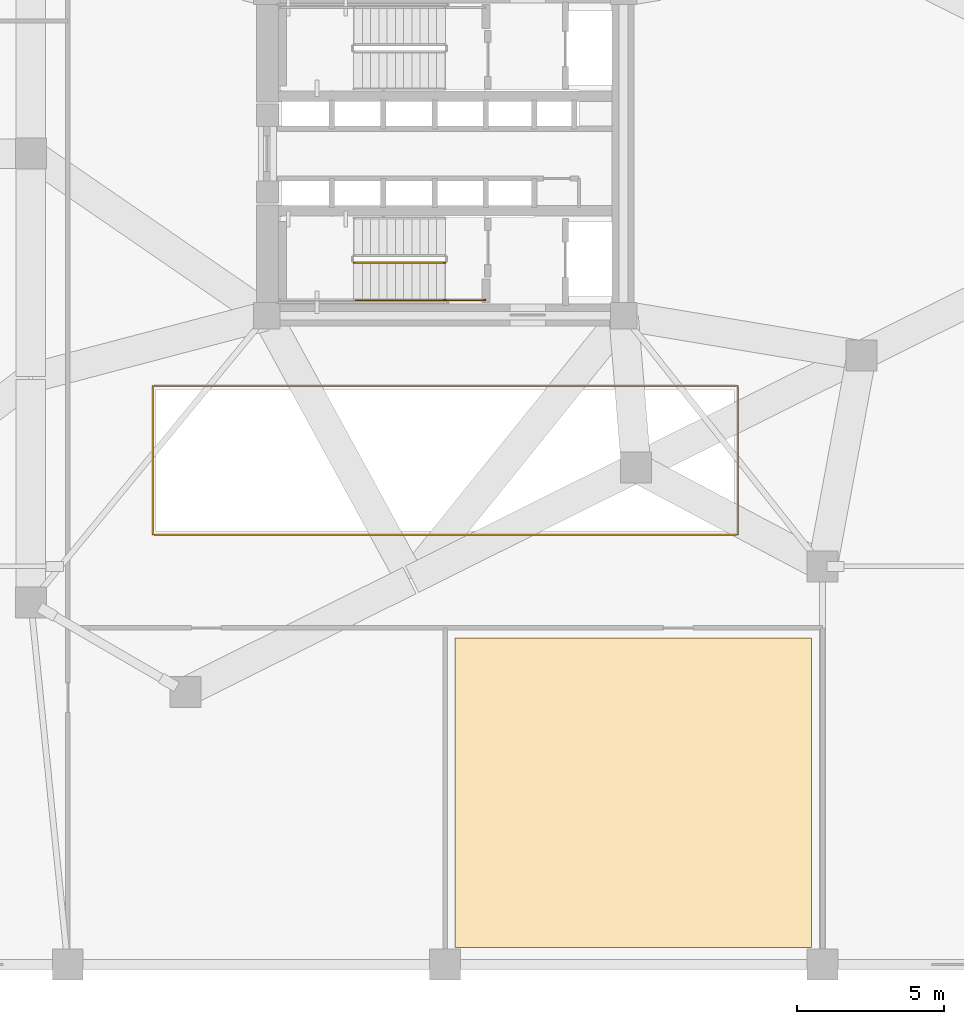
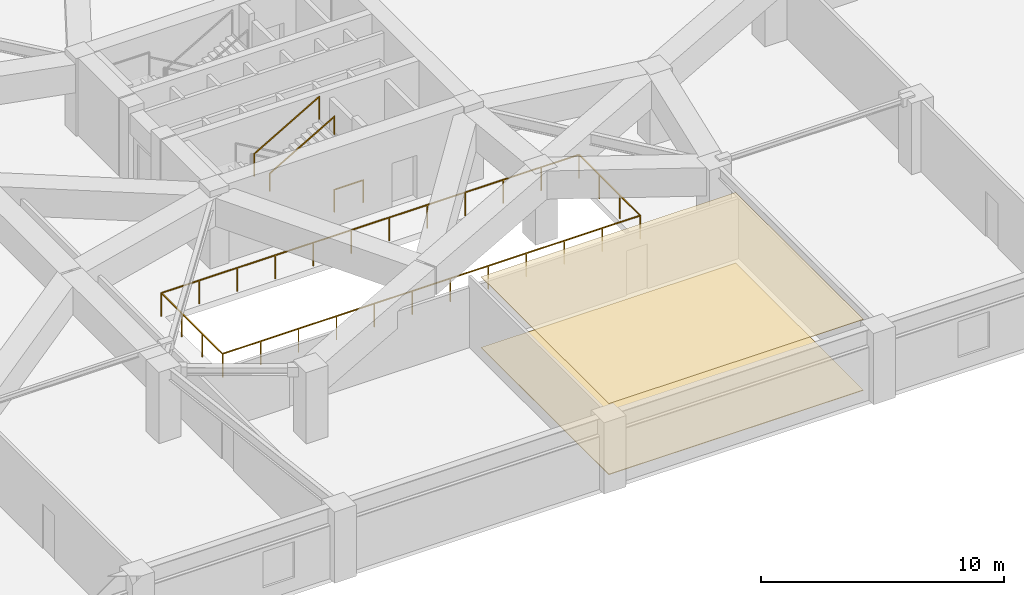
# One storey, part 10 of 16: 4 railings, 2 coverings.
"""IFC4 building model written with IfcOpenShell, lengths in metres."""

from ifc_helpers import new_model, si_unit, direction, frame, origin, origin_2d, place, context, subcontext, project, spatial, polyline, rectangle, outline, extrude, material, layer, layer_set, type_object, element, save


model = new_model("IFC4")

# Units and contexts
model_context = context("Model", 3, precision=1e-05, world=origin(), true_north=direction((0.0, 1.0)))
body_context = subcontext(model_context, "Body", "Model", "MODEL_VIEW")
ifc_project = project(units=[si_unit("LENGTHUNIT", "METRE"), si_unit("AREAUNIT", "SQUARE_METRE"), si_unit("VOLUMEUNIT", "CUBIC_METRE"), si_unit("PLANEANGLEUNIT", "RADIAN"), si_unit("MASSUNIT", "GRAM", prefix="KILO")], contexts=[model_context])

# Site, building, storey
site_placement = place(None, origin())
site = spatial("IfcSite", under=ifc_project, at=site_placement, CompositionType="ELEMENT")
building_placement = place(site_placement, origin())
building = spatial("IfcBuilding", under=site, at=building_placement, Name="Yunling Apex Tower", CompositionType="ELEMENT")
storey_placement = place(building_placement, frame((0.0, 0.0, 16.199951171875)))
storey = spatial("IfcBuildingStorey", under=building, at=storey_placement, Name="L05", CompositionType="ELEMENT", Elevation=16.199951171875)

# Coverings
ifc_material_1 = material(Name="Acoustic mineral fibre ceiling")
ifc_layer_1 = layer(ifc_material_1, 0.02490234375)
ifc_layer_set_1 = layer_set([ifc_layer_1], Name="Acoustic mineral fibre ceiling")
covering_type_1 = type_object("IfcCoveringType", Name="CV-CLG-1", PredefinedType="CEILING", material=ifc_layer_set_1)
covering_1_placement = place(storey_placement, frame((0.0, 0.0, 3.554931640625)))
element("IfcCovering", 1, at=covering_1_placement, inside=storey, type_object=covering_type_1, Name="CV-CL-SP-L05-S2", PredefinedType="CEILING", context=body_context, shape_type="SweptSolid", body=[
    extrude(outline(polyline([(12.429931640625, -26.929931640625), (0.340087890625, -26.929931640625), (0.340087890625, -16.419921875), (12.429931640625, -16.419921875), (12.429931640625, -26.929931640625)])), origin(), (0.0, 0.0, 1.0), 0.025146484375),
])
ifc_material_2 = material(Name="Polished granite stone", Category="masonry")
ifc_layer_2 = layer(ifc_material_2, 0.030029296875)
ifc_layer_set_2 = layer_set([ifc_layer_2], Name="Polished granite stone")
covering_type_2 = type_object("IfcCoveringType", Name="CV-FLR-1", PredefinedType="FLOORING", material=ifc_layer_set_2)
covering_2_placement = place(storey_placement, origin())
element("IfcCovering", 2, at=covering_2_placement, inside=storey, type_object=covering_type_2, Name="CV-FL-SP-L05-S2", PredefinedType="FLOORING", context=body_context, shape_type="SweptSolid", body=[
    extrude(outline(polyline([(12.429931640625, -26.929931640625), (0.340087890625, -26.929931640625), (0.340087890625, -16.419921875), (12.429931640625, -16.419921875), (12.429931640625, -26.929931640625)])), origin(), (0.0, 0.0, 1.0), 0.030029296875),
])

# Railings
ifc_material_3 = material(Name="Bronze anodised aluminium", Category="aluminium")
railing_type_1 = type_object("IfcRailingType", Name="RL-BAL-1200", PredefinedType="BALUSTRADE", material=ifc_material_3)
railing_1_placement = place(storey_placement, frame((9.919921875, -12.919921875, 0.0)))
element("IfcRailing", 3, at=railing_1_placement, inside=storey, type_object=railing_type_1, Name="RL-PATR-L05", PredefinedType="BALUSTRADE", context=body_context, shape_type="SweptSolid", body=[
    extrude(rectangle(XDim=0.0439453125, YDim=0.0439453125, at=origin_2d()), origin(), (0.0, 0.0, 1.0), 1.199951171875),
    extrude(rectangle(XDim=0.0439453125, YDim=0.0439453125, at=origin_2d()), frame((0.0, 5.0400390625, 0.0)), (0.0, 0.0, 1.0), 1.199951171875),
    extrude(rectangle(XDim=0.050048828125, YDim=0.050048828125, at=origin_2d()), frame((0.0, 0.038330078125, 1.1748046875), z_axis=(0.0, 1.0, 0.0), x_axis=(-1.0, 0.0, 0.0)), (0.0, 0.0, 1.0), 4.96337890625),
    extrude(rectangle(XDim=0.0439453125, YDim=0.0439453125, at=origin_2d()), frame((0.0, 1.679931640625, 0.0)), (0.0, 0.0, 1.0), 1.14599609375),
    extrude(rectangle(XDim=0.0439453125, YDim=0.0439453125, at=origin_2d()), frame((0.0, 3.360107421875, 0.0)), (0.0, 0.0, 1.0), 1.14599609375),
    extrude(rectangle(XDim=0.0439453125, YDim=0.0439453125, at=origin_2d()), frame((-19.83984375, 5.0400390625, 0.0)), (0.0, 0.0, 1.0), 1.199951171875),
    extrude(rectangle(XDim=0.050048828125, YDim=0.050048828125, at=origin_2d()), frame((-0.038330078125, 5.0400390625, 1.1748046875), z_axis=(-1.0, 0.0, 0.0), x_axis=(0.0, -1.0, 0.0)), (0.0, 0.0, 1.0), 19.76318359375),
    extrude(rectangle(XDim=0.0439453125, YDim=0.0439453125, at=origin_2d()), frame((-1.8037109375, 5.0400390625, 0.0)), (0.0, 0.0, 1.0), 1.14599609375),
    extrude(rectangle(XDim=0.0439453125, YDim=0.0439453125, at=origin_2d()), frame((-3.607177734375, 5.0400390625, 0.0)), (0.0, 0.0, 1.0), 1.14599609375),
    extrude(rectangle(XDim=0.0439453125, YDim=0.0439453125, at=origin_2d()), frame((-5.410888671875, 5.0400390625, 0.0)), (0.0, 0.0, 1.0), 1.14599609375),
    extrude(rectangle(XDim=0.0439453125, YDim=0.0439453125, at=origin_2d()), frame((-7.214599609375, 5.0400390625, 0.0)), (0.0, 0.0, 1.0), 1.14599609375),
    extrude(rectangle(XDim=0.0439453125, YDim=0.0439453125, at=origin_2d()), frame((-9.01806640625, 5.0400390625, 0.0)), (0.0, 0.0, 1.0), 1.14599609375),
    extrude(rectangle(XDim=0.0439453125, YDim=0.0439453125, at=origin_2d()), frame((-10.82177734375, 5.0400390625, 0.0)), (0.0, 0.0, 1.0), 1.14599609375),
    extrude(rectangle(XDim=0.0439453125, YDim=0.0439453125, at=origin_2d()), frame((-12.625244140625, 5.0400390625, 0.0)), (0.0, 0.0, 1.0), 1.14599609375),
    extrude(rectangle(XDim=0.0439453125, YDim=0.0439453125, at=origin_2d()), frame((-14.428955078125, 5.0400390625, 0.0)), (0.0, 0.0, 1.0), 1.14599609375),
    extrude(rectangle(XDim=0.0439453125, YDim=0.0439453125, at=origin_2d()), frame((-16.232666015625, 5.0400390625, 0.0)), (0.0, 0.0, 1.0), 1.14599609375),
    extrude(rectangle(XDim=0.0439453125, YDim=0.0439453125, at=origin_2d()), frame((-18.0361328125, 5.0400390625, 0.0)), (0.0, 0.0, 1.0), 1.14599609375),
    extrude(rectangle(XDim=0.0439453125, YDim=0.0439453125, at=origin_2d()), frame((-19.83984375, 0.0, 0.0)), (0.0, 0.0, 1.0), 1.199951171875),
    extrude(rectangle(XDim=0.050048828125, YDim=0.050048828125, at=origin_2d()), frame((-19.83984375, 5.001708984375, 1.1748046875), z_axis=(0.0, -1.0, 0.0), x_axis=(1.0, 0.0, 0.0)), (0.0, 0.0, 1.0), 4.96337890625),
    extrude(rectangle(XDim=0.0439453125, YDim=0.0439453125, at=origin_2d()), frame((-19.83984375, 3.360107421875, 0.0)), (0.0, 0.0, 1.0), 1.14599609375),
    extrude(rectangle(XDim=0.0439453125, YDim=0.0439453125, at=origin_2d()), frame((-19.83984375, 1.679931640625, 0.0)), (0.0, 0.0, 1.0), 1.14599609375),
    extrude(rectangle(XDim=0.050048828125, YDim=0.050048828125, at=origin_2d()), frame((-19.801513671875, 0.0, 1.1748046875), z_axis=(1.0, 0.0, 0.0), x_axis=(0.0, 1.0, 0.0)), (0.0, 0.0, 1.0), 19.76318359375),
    extrude(rectangle(XDim=0.0439453125, YDim=0.0439453125, at=origin_2d()), frame((-18.0361328125, 0.0, 0.0)), (0.0, 0.0, 1.0), 1.14599609375),
    extrude(rectangle(XDim=0.0439453125, YDim=0.0439453125, at=origin_2d()), frame((-16.232666015625, 0.0, 0.0)), (0.0, 0.0, 1.0), 1.14599609375),
    extrude(rectangle(XDim=0.0439453125, YDim=0.0439453125, at=origin_2d()), frame((-14.428955078125, 0.0, 0.0)), (0.0, 0.0, 1.0), 1.14599609375),
    extrude(rectangle(XDim=0.0439453125, YDim=0.0439453125, at=origin_2d()), frame((-12.625244140625, 0.0, 0.0)), (0.0, 0.0, 1.0), 1.14599609375),
    extrude(rectangle(XDim=0.0439453125, YDim=0.0439453125, at=origin_2d()), frame((-10.82177734375, 0.0, 0.0)), (0.0, 0.0, 1.0), 1.14599609375),
    extrude(rectangle(XDim=0.0439453125, YDim=0.0439453125, at=origin_2d()), frame((-9.01806640625, 0.0, 0.0)), (0.0, 0.0, 1.0), 1.14599609375),
    extrude(rectangle(XDim=0.0439453125, YDim=0.0439453125, at=origin_2d()), frame((-7.214599609375, 0.0, 0.0)), (0.0, 0.0, 1.0), 1.14599609375),
    extrude(rectangle(XDim=0.0439453125, YDim=0.0439453125, at=origin_2d()), frame((-5.410888671875, 0.0, 0.0)), (0.0, 0.0, 1.0), 1.14599609375),
    extrude(rectangle(XDim=0.0439453125, YDim=0.0439453125, at=origin_2d()), frame((-3.607177734375, 0.0, 0.0)), (0.0, 0.0, 1.0), 1.14599609375),
    extrude(rectangle(XDim=0.0439453125, YDim=0.0439453125, at=origin_2d()), frame((-1.8037109375, 0.0, 0.0)), (0.0, 0.0, 1.0), 1.14599609375),
])
ifc_material_4 = material(Name="Steel Q355B", Category="steel")
railing_type_2 = type_object("IfcRailingType", Name="RL-GRD-1150", PredefinedType="GUARDRAIL", material=ifc_material_4)
railing_2_placement = place(storey_placement, frame((-3.090087890625, -3.699951171875, 2.112548828125)))
element("IfcRailing", 4, at=railing_2_placement, inside=storey, type_object=railing_type_2, Name="L05 ST-2 stair guard 4", PredefinedType="GUARDRAIL", context=body_context, shape_type="SweptSolid", body=[
    extrude(rectangle(XDim=0.0439453125, YDim=0.0439453125, at=origin_2d()), origin(), (0.0, 0.0, 1.0), 1.14990234375),
    extrude(rectangle(XDim=0.0439453125, YDim=0.0439453125, at=origin_2d()), frame((3.080078125, 0.0, 1.78759765625)), (0.0, 0.0, 1.0), 1.14990234375),
    extrude(rectangle(XDim=0.050048828125, YDim=0.050048828125, at=origin_2d()), frame((0.033203125, 0.0, 1.14404296875), z_axis=(0.864890721111, 0.0, 0.501960198159), x_axis=(0.0, 1.0, 0.0)), (0.0, 0.0, 1.0), 3.484619140625),
])
railing_3_placement = place(storey_placement, frame((1.35009765625, -4.9599609375, 0.0)))
element("IfcRailing", 5, at=railing_3_placement, inside=storey, type_object=railing_type_2, Name="L05 ST-2 stair guard 6", PredefinedType="GUARDRAIL", context=body_context, shape_type="SweptSolid", body=[
    extrude(rectangle(XDim=0.0439453125, YDim=0.0439453125, at=origin_2d()), origin(), (0.0, 0.0, 1.0), 1.14990234375),
    extrude(rectangle(XDim=0.0439453125, YDim=0.0439453125, at=origin_2d()), frame((-1.360107421875, 0.0, 0.0)), (0.0, 0.0, 1.0), 1.14990234375),
    extrude(rectangle(XDim=0.050048828125, YDim=0.050048828125, at=origin_2d()), frame((-0.038330078125, 0.0, 1.125), z_axis=(-1.0, 0.0, 0.0), x_axis=(0.0, -1.0, 0.0)), (0.0, 0.0, 1.0), 1.283447265625),
])
ifc_material_5 = material(Name="Silver anodised aluminium", Category="aluminium")
railing_type_3 = type_object("IfcRailingType", Name="RL-HND-900", PredefinedType="HANDRAIL", material=ifc_material_5)
railing_4_placement = place(storey_placement, frame((-3.090087890625, -4.9599609375, 2.112548828125)))
element("IfcRailing", 6, at=railing_4_placement, inside=storey, type_object=railing_type_3, Name="L05 ST-2 stair handrail 2", PredefinedType="HANDRAIL", context=body_context, shape_type="SweptSolid", body=[
    extrude(rectangle(XDim=0.0439453125, YDim=0.0439453125, at=origin_2d()), origin(), (0.0, 0.0, 1.0), 0.919921875),
    extrude(rectangle(XDim=0.0439453125, YDim=0.0439453125, at=origin_2d()), frame((3.080078125, 0.0, 1.78759765625)), (0.0, 0.0, 1.0), 0.919921875),
    extrude(rectangle(XDim=0.050048828125, YDim=0.050048828125, at=origin_2d()), frame((0.033203125, 0.0, 0.9140625), z_axis=(0.864890721111, 0.0, 0.501960198159), x_axis=(0.0, 1.0, 0.0)), (0.0, 0.0, 1.0), 3.484619140625),
])

save(model, "model.ifc")
